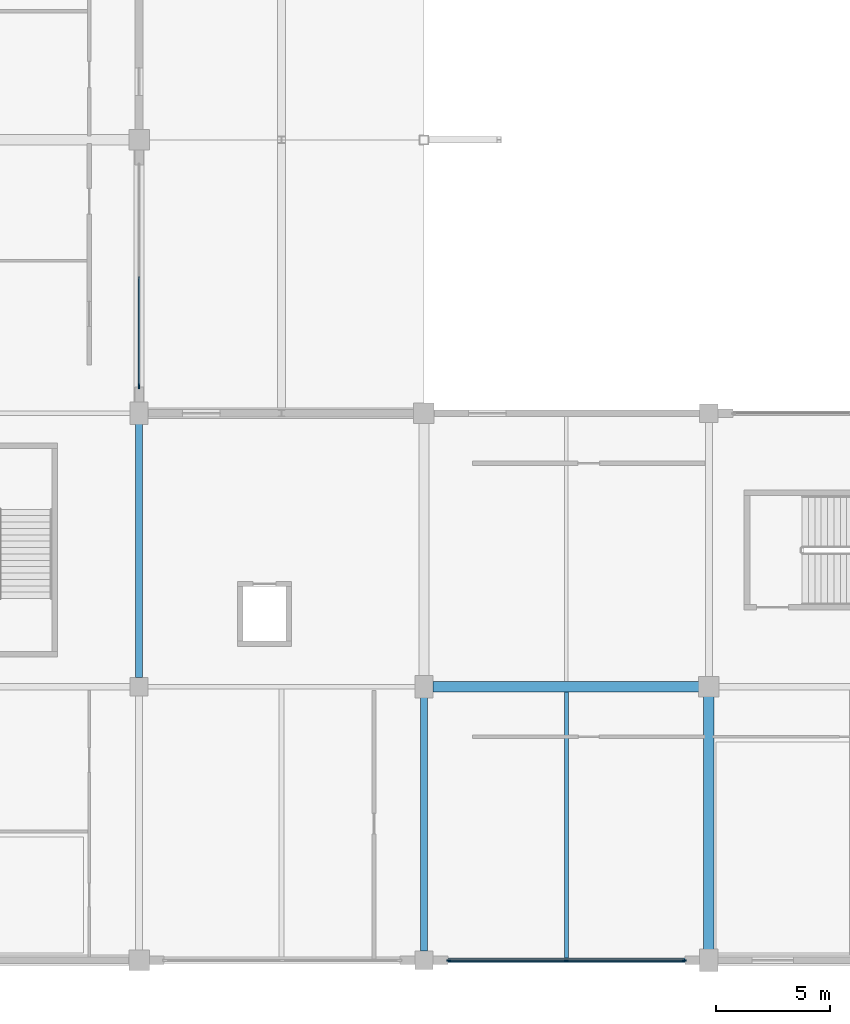
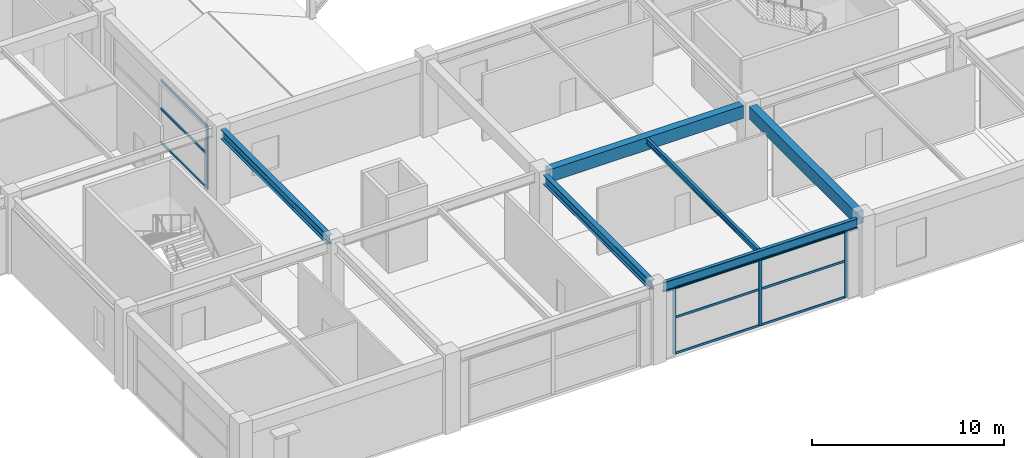
# One storey, part 12 of 116: 13 members, 6 beams, 2 elements without a shape of their own.
"""IFC4 building model written with IfcOpenShell, lengths in metres."""

from ifc_helpers import new_model, si_unit, direction, frame, origin, origin_2d, place, context, subcontext, project, spatial, rectangle, i_section, extrude, material, layer, layer_set, material_profile, profile_set, type_object, element, aggregate, save


model = new_model("IFC4")

# Units and contexts
model_context = context("Model", 3, precision=1e-05, world=origin(), true_north=direction((0.0, 1.0)))
body_context = subcontext(model_context, "Body", "Model", "MODEL_VIEW")
ifc_project = project(units=[si_unit("LENGTHUNIT", "METRE"), si_unit("AREAUNIT", "SQUARE_METRE"), si_unit("VOLUMEUNIT", "CUBIC_METRE"), si_unit("PLANEANGLEUNIT", "RADIAN"), si_unit("MASSUNIT", "GRAM", prefix="KILO")], contexts=[model_context])

# Site, building, storey
site_placement = place(None, origin())
site = spatial("IfcSite", under=ifc_project, at=site_placement, CompositionType="ELEMENT")
building_placement = place(site_placement, origin())
building = spatial("IfcBuilding", under=site, at=building_placement, Name="Kazenohara Klinker Stadium", CompositionType="ELEMENT")
storey_placement = place(building_placement, frame((0.0, 0.0, 10.199951171875)))
storey = spatial("IfcBuildingStorey", under=building, at=storey_placement, Name="L02", CompositionType="ELEMENT", Elevation=10.199951171875)

# Beams
ifc_material_1 = material(Name="Steel S355", Category="steel")
ifc_material_profile_1 = material_profile(ifc_material_1, i_section(OverallWidth=0.175048828125, OverallDepth=0.35009765625, WebThickness=0.007080078125, FlangeThickness=0.010986328125, FilletRadius=0.012939453125, at=origin_2d()), Name="H-350x175x7x11")
ifc_profile_set_1 = profile_set([ifc_material_profile_1], Name="Steel S355")
beam_type_1 = type_object("IfcBeamType", Name="BM-JST04", PredefinedType="JOIST", material=ifc_profile_set_1)
beam_1_placement = place(storey_placement, frame((55.25, 12.10009765625, 4.64501953125), z_axis=(0.0, 1.0, 0.0), x_axis=(-1.0, 0.0, 0.0)))
element("IfcBeam", 1, at=beam_1_placement, inside=storey, type_object=beam_type_1, Name="Secondary floor joist SJ04 L02 5/B", PredefinedType="JOIST", context=body_context, shape_type="SweptSolid", body=[
    extrude(i_section(OverallWidth=0.175048828125, OverallDepth=0.35009765625, WebThickness=0.007080078125, FlangeThickness=0.010986328125, FilletRadius=0.012939453125, at=origin_2d()), origin(), (0.0, 0.0, 1.0), 11.6748046875),
])
ifc_material_2 = material(Name="Concrete C40/50", Category="concrete")
ifc_material_profile_2 = material_profile(ifc_material_2, rectangle(XDim=0.449951171875, YDim=0.800048828125, at=origin_2d()), Name="RC-BM-450x800")
ifc_profile_set_2 = profile_set([ifc_material_profile_2], Name="Concrete C40/50")
beam_type_2 = type_object("IfcBeamType", Name="BM-RC03", PredefinedType="BEAM", material=ifc_profile_set_2)
beam_2_placement = place(storey_placement, frame((49.39990234375, 24.0, 4.420166015625), z_axis=(1.0, 0.0, 0.0), x_axis=(0.0, 1.0, 0.0)))
element("IfcBeam", 2, at=beam_2_placement, inside=storey, type_object=beam_type_2, Name="Primary girder BG03 L02 5-6/C", PredefinedType="BEAM", context=body_context, shape_type="SweptSolid", body=[
    extrude(rectangle(XDim=0.449951171875, YDim=0.800048828125, at=origin_2d()), origin(), (0.0, 0.0, 1.0), 11.68017578125),
])
beam_3_placement = place(storey_placement, frame((61.5, 12.419921875, 4.420166015625), z_axis=(0.0, 1.0, 0.0), x_axis=(-1.0, 0.0, 0.0)))
element("IfcBeam", 3, at=beam_3_placement, inside=storey, type_object=beam_type_2, Name="Primary girder BG03 L02 6/B-C", PredefinedType="BEAM", context=body_context, shape_type="SweptSolid", body=[
    extrude(rectangle(XDim=0.449951171875, YDim=0.800048828125, at=origin_2d()), origin(), (0.0, 0.0, 1.0), 11.16015625),
])
ifc_material_profile_3 = material_profile(ifc_material_1, i_section(OverallWidth=0.199951171875, OverallDepth=0.60009765625, WebThickness=0.010986328125, FlangeThickness=0.01708984375, FilletRadius=0.012939453125, at=origin_2d()), Name="H-600x200x11x17")
ifc_profile_set_3 = profile_set([ifc_material_profile_3], Name="Steel S355")
beam_type_3 = type_object("IfcBeamType", Name="BM-ST04", PredefinedType="BEAM", material=ifc_profile_set_3)
beam_4_placement = place(storey_placement, frame((49.39990234375, 12.0, 4.52001953125), z_axis=(1.0, 0.0, 0.0), x_axis=(0.0, 1.0, 0.0)))
element("IfcBeam", 4, at=beam_4_placement, inside=storey, type_object=beam_type_3, Name="Primary girder SB04 L02 5-6/B", PredefinedType="BEAM", context=body_context, shape_type="SweptSolid", body=[
    extrude(i_section(OverallWidth=0.199951171875, OverallDepth=0.60009765625, WebThickness=0.010986328125, FlangeThickness=0.01708984375, FilletRadius=0.012939453125, at=origin_2d()), origin(), (0.0, 0.0, 1.0), 11.7001953125),
])
ifc_material_profile_4 = material_profile(ifc_material_1, i_section(OverallWidth=0.300048828125, OverallDepth=0.587890625, WebThickness=0.011962890625, FlangeThickness=0.02001953125, FilletRadius=0.02197265625, at=origin_2d()), Name="H-588x300x12x20")
ifc_profile_set_4 = profile_set([ifc_material_profile_4], Name="Steel S355")
beam_type_4 = type_object("IfcBeamType", Name="BM-ST05", PredefinedType="BEAM", material=ifc_profile_set_4)
for number, where, z_axis, x_axis, name in (
    (5, (36.5, 24.39990234375, 4.526123046875), (0.0, 1.0, 0.0), (-1.0, 0.0, 0.0), "Primary girder SB05 L02 4/C-D"),
    (6, (49.0, 12.39990234375, 4.526123046875), (0.0, 1.0, 0.0), (-1.0, 0.0, 0.0), "Primary girder SB05 L02 5/B-C"),
):
    element("IfcBeam", number, at=place(storey_placement, frame(where, z_axis=z_axis, x_axis=x_axis)), inside=storey, type_object=beam_type_4, Name=name, PredefinedType="BEAM", context=body_context, shape_type="SweptSolid", body=[
        extrude(i_section(OverallWidth=0.300048828125, OverallDepth=0.587890625, WebThickness=0.011962890625, FlangeThickness=0.02001953125, FilletRadius=0.02197265625, at=origin_2d()), origin(), (0.0, 0.0, 1.0), 11.18017578125),
    ])

# Curtain wall, members
ifc_material_3 = material(Name="Anodised aluminium and triple glazing", Category="aluminium")
ifc_layer_1 = layer(ifc_material_3, 0.199951171875)
ifc_layer_set_1 = layer_set([ifc_layer_1], Name="Anodised aluminium and triple glazing")
curtain_wall_type_1 = type_object("IfcCurtainWallType", Name="CW-SYS-03", PredefinedType="USERDEFINED", material=ifc_layer_set_1)
curtain_wall_1_placement = place(storey_placement, origin())
curtain_wall_1 = element("IfcCurtainWall", 7, at=curtain_wall_1_placement, inside=storey, type_object=curtain_wall_type_1, Name="Unitised facade curtain wall CW03 L02 X4-1", ObjectType="UNITISED CURTAIN WALL", PredefinedType="USERDEFINED")
ifc_material_4 = material(Name="Anodised aluminium 6063-T6", Category="aluminium")
ifc_material_profile_5 = material_profile(ifc_material_4, rectangle(XDim=0.06494140625, YDim=0.179931640625, at=origin_2d()), Name="ALU-MUL-65x180")
ifc_profile_set_5 = profile_set([ifc_material_profile_5], Name="Anodised aluminium 6063-T6")
member_type_1 = type_object("IfcMemberType", Name="CW-MUL-180", PredefinedType="MULLION", material=ifc_profile_set_5)
member_1_placement = place(storey_placement, frame((50.08642578125, 12.0, 0.0), z_axis=(0.0, 0.0, 1.0), x_axis=(0.0, 1.0, 0.0)))
member_1 = element("IfcMember", 8, at=member_1_placement, type_object=member_type_1, Name="CW03 mullion 1", PredefinedType="MULLION", context=body_context, shape_type="SweptSolid", body=[
    extrude(rectangle(XDim=0.06494140625, YDim=0.179931640625, at=origin_2d()), origin(), (0.0, 0.0, 1.0), 4.219970703125),
])
member_2_placement = place(storey_placement, frame((55.25, 12.0, 0.0), z_axis=(0.0, 0.0, 1.0), x_axis=(0.0, 1.0, 0.0)))
member_2 = element("IfcMember", 9, at=member_2_placement, type_object=member_type_1, Name="CW03 mullion 2", PredefinedType="MULLION", context=body_context, shape_type="SweptSolid", body=[
    extrude(rectangle(XDim=0.06494140625, YDim=0.179931640625, at=origin_2d()), origin(), (0.0, 0.0, 1.0), 4.219970703125),
])
member_3_placement = place(storey_placement, frame((60.41357421875, 12.0, 0.0), z_axis=(0.0, 0.0, 1.0), x_axis=(0.0, 1.0, 0.0)))
member_3 = element("IfcMember", 10, at=member_3_placement, type_object=member_type_1, Name="CW03 mullion 3", PredefinedType="MULLION", context=body_context, shape_type="SweptSolid", body=[
    extrude(rectangle(XDim=0.06494140625, YDim=0.179931640625, at=origin_2d()), origin(), (0.0, 0.0, 1.0), 4.219970703125),
])

# Curtain wall, member
ifc_layer_2 = layer(ifc_material_3, 0.159912109375)
ifc_layer_set_2 = layer_set([ifc_layer_2], Name="Anodised aluminium and triple glazing")
curtain_wall_type_2 = type_object("IfcCurtainWallType", Name="CW-SYS-01", PredefinedType="USERDEFINED", material=ifc_layer_set_2)
curtain_wall_2_placement = place(storey_placement, origin())
curtain_wall_2 = element("IfcCurtainWall", 11, at=curtain_wall_2_placement, inside=storey, type_object=curtain_wall_type_2, Name="Unitised facade curtain wall CW01 L02 Y3-3", ObjectType="UNITISED CURTAIN WALL", PredefinedType="USERDEFINED")
ifc_material_profile_6 = material_profile(ifc_material_4, rectangle(XDim=0.074951171875, YDim=0.219970703125, at=origin_2d()), Name="ALU-MUL-75x220")
ifc_profile_set_6 = profile_set([ifc_material_profile_6], Name="Anodised aluminium 6063-T6")
member_type_2 = type_object("IfcMemberType", Name="CW-MUL-220", PredefinedType="MULLION", material=ifc_profile_set_6)
member_4_placement = place(storey_placement, frame((36.5, 37.19140625, 0.0), z_axis=(0.0, 0.0, 1.0), x_axis=(-1.0, 0.0, 0.0)))
member_4 = element("IfcMember", 12, at=member_4_placement, type_object=member_type_2, Name="CW01 mullion 1", PredefinedType="MULLION", context=body_context, shape_type="SweptSolid", body=[
    extrude(rectangle(XDim=0.074951171875, YDim=0.219970703125, at=origin_2d()), origin(), (0.0, 0.0, 1.0), 4.02001953125),
])

# Member
ifc_material_profile_7 = material_profile(ifc_material_4, rectangle(XDim=0.06494140625, YDim=0.139892578125, at=origin_2d()), Name="ALU-TRN-65x140")
ifc_profile_set_7 = profile_set([ifc_material_profile_7], Name="Anodised aluminium 6063-T6")
member_type_3 = type_object("IfcMemberType", Name="CW-TRN-140", PredefinedType="USERDEFINED", material=ifc_profile_set_7)
member_5_placement = place(storey_placement, frame((50.118896484375, 12.0, 0.032470703125), z_axis=(1.0, 0.0, 0.0), x_axis=(0.0, 1.0, 0.0)))
member_5 = element("IfcMember", 13, at=member_5_placement, type_object=member_type_3, Name="CW03 transom 1.1", ObjectType="TRANSOM", PredefinedType="USERDEFINED", context=body_context, shape_type="SweptSolid", body=[
    extrude(rectangle(XDim=0.06494140625, YDim=0.139892578125, at=origin_2d()), origin(), (0.0, 0.0, 1.0), 5.0986328125),
])

member_6_placement = place(storey_placement, frame((50.118896484375, 12.0, 2.321044921875), z_axis=(1.0, 0.0, 0.0), x_axis=(0.0, 1.0, 0.0)))
member_6 = element("IfcMember", 14, at=member_6_placement, type_object=member_type_3, Name="CW03 transom 1.2", ObjectType="TRANSOM", PredefinedType="USERDEFINED", context=body_context, shape_type="SweptSolid", body=[
    extrude(rectangle(XDim=0.06494140625, YDim=0.139892578125, at=origin_2d()), origin(), (0.0, 0.0, 1.0), 5.0986328125),
])

member_7_placement = place(storey_placement, frame((50.118896484375, 12.0, 4.1875), z_axis=(1.0, 0.0, 0.0), x_axis=(0.0, 1.0, 0.0)))
member_7 = element("IfcMember", 15, at=member_7_placement, type_object=member_type_3, Name="CW03 transom 1.3", ObjectType="TRANSOM", PredefinedType="USERDEFINED", context=body_context, shape_type="SweptSolid", body=[
    extrude(rectangle(XDim=0.06494140625, YDim=0.139892578125, at=origin_2d()), origin(), (0.0, 0.0, 1.0), 5.0986328125),
])

member_8_placement = place(storey_placement, frame((55.282470703125, 12.0, 0.032470703125), z_axis=(1.0, 0.0, 0.0), x_axis=(0.0, 1.0, 0.0)))
member_8 = element("IfcMember", 16, at=member_8_placement, type_object=member_type_3, Name="CW03 transom 2.1", ObjectType="TRANSOM", PredefinedType="USERDEFINED", context=body_context, shape_type="SweptSolid", body=[
    extrude(rectangle(XDim=0.06494140625, YDim=0.139892578125, at=origin_2d()), origin(), (0.0, 0.0, 1.0), 5.0986328125),
])

member_9_placement = place(storey_placement, frame((55.282470703125, 12.0, 2.321044921875), z_axis=(1.0, 0.0, 0.0), x_axis=(0.0, 1.0, 0.0)))
member_9 = element("IfcMember", 17, at=member_9_placement, type_object=member_type_3, Name="CW03 transom 2.2", ObjectType="TRANSOM", PredefinedType="USERDEFINED", context=body_context, shape_type="SweptSolid", body=[
    extrude(rectangle(XDim=0.06494140625, YDim=0.139892578125, at=origin_2d()), origin(), (0.0, 0.0, 1.0), 5.0986328125),
])

member_10_placement = place(storey_placement, frame((55.282470703125, 12.0, 4.1875), z_axis=(1.0, 0.0, 0.0), x_axis=(0.0, 1.0, 0.0)))
member_10 = element("IfcMember", 18, at=member_10_placement, type_object=member_type_3, Name="CW03 transom 2.3", ObjectType="TRANSOM", PredefinedType="USERDEFINED", context=body_context, shape_type="SweptSolid", body=[
    extrude(rectangle(XDim=0.06494140625, YDim=0.139892578125, at=origin_2d()), origin(), (0.0, 0.0, 1.0), 5.0986328125),
])

aggregate(curtain_wall_1, [member_1, member_2, member_3, member_5, member_6, member_7, member_8, member_9, member_10])

ifc_material_profile_8 = material_profile(ifc_material_4, rectangle(XDim=0.074951171875, YDim=0.159912109375, at=origin_2d()), Name="ALU-TRN-75x160")
ifc_profile_set_8 = profile_set([ifc_material_profile_8], Name="Anodised aluminium 6063-T6")
member_type_4 = type_object("IfcMemberType", Name="CW-TRN-160", PredefinedType="USERDEFINED", material=ifc_profile_set_8)
member_11_placement = place(storey_placement, frame((36.5, 37.22900390625, 0.03759765625), z_axis=(0.0, 1.0, 0.0), x_axis=(-1.0, 0.0, 0.0)))
member_11 = element("IfcMember", 19, at=member_11_placement, type_object=member_type_4, Name="CW01 transom 1.1", ObjectType="TRANSOM", PredefinedType="USERDEFINED", context=body_context, shape_type="SweptSolid", body=[
    extrude(rectangle(XDim=0.074951171875, YDim=0.159912109375, at=origin_2d()), origin(), (0.0, 0.0, 1.0), 4.758544921875),
])

member_12_placement = place(storey_placement, frame((36.5, 37.22900390625, 2.2109375), z_axis=(0.0, 1.0, 0.0), x_axis=(-1.0, 0.0, 0.0)))
member_12 = element("IfcMember", 20, at=member_12_placement, type_object=member_type_4, Name="CW01 transom 1.2", ObjectType="TRANSOM", PredefinedType="USERDEFINED", context=body_context, shape_type="SweptSolid", body=[
    extrude(rectangle(XDim=0.074951171875, YDim=0.159912109375, at=origin_2d()), origin(), (0.0, 0.0, 1.0), 4.758544921875),
])

member_13_placement = place(storey_placement, frame((36.5, 37.22900390625, 3.982666015625), z_axis=(0.0, 1.0, 0.0), x_axis=(-1.0, 0.0, 0.0)))
member_13 = element("IfcMember", 21, at=member_13_placement, type_object=member_type_4, Name="CW01 transom 1.3", ObjectType="TRANSOM", PredefinedType="USERDEFINED", context=body_context, shape_type="SweptSolid", body=[
    extrude(rectangle(XDim=0.074951171875, YDim=0.159912109375, at=origin_2d()), origin(), (0.0, 0.0, 1.0), 4.758544921875),
])

aggregate(curtain_wall_2, [member_4, member_11, member_12, member_13])

save(model, "model.ifc")
